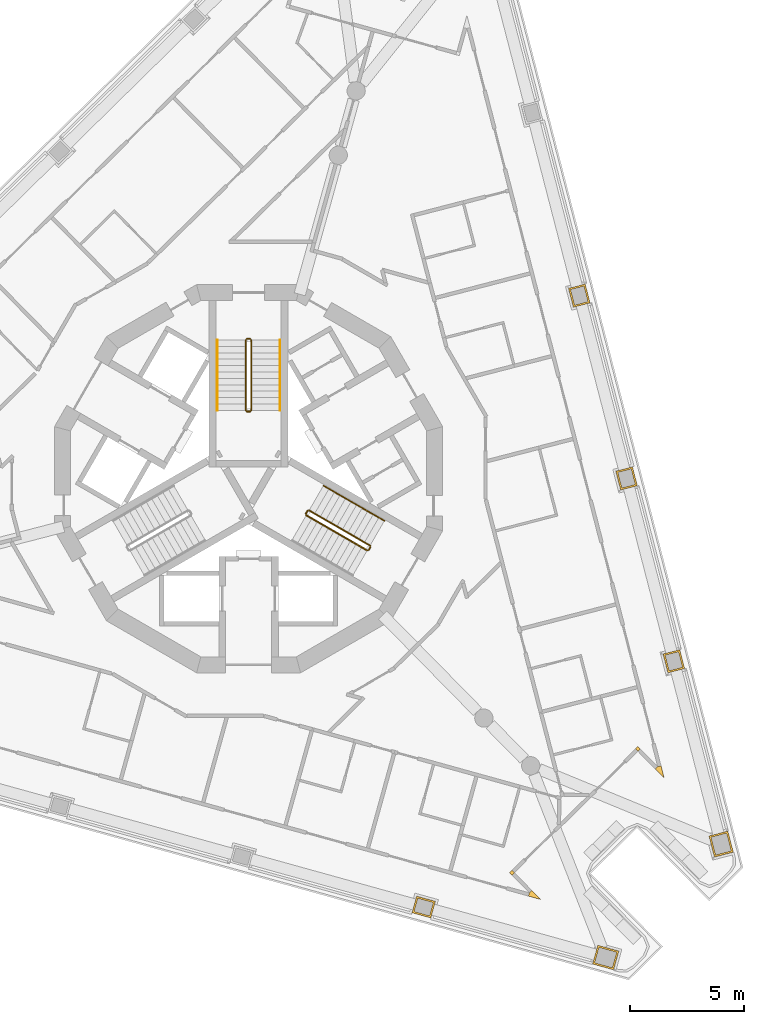
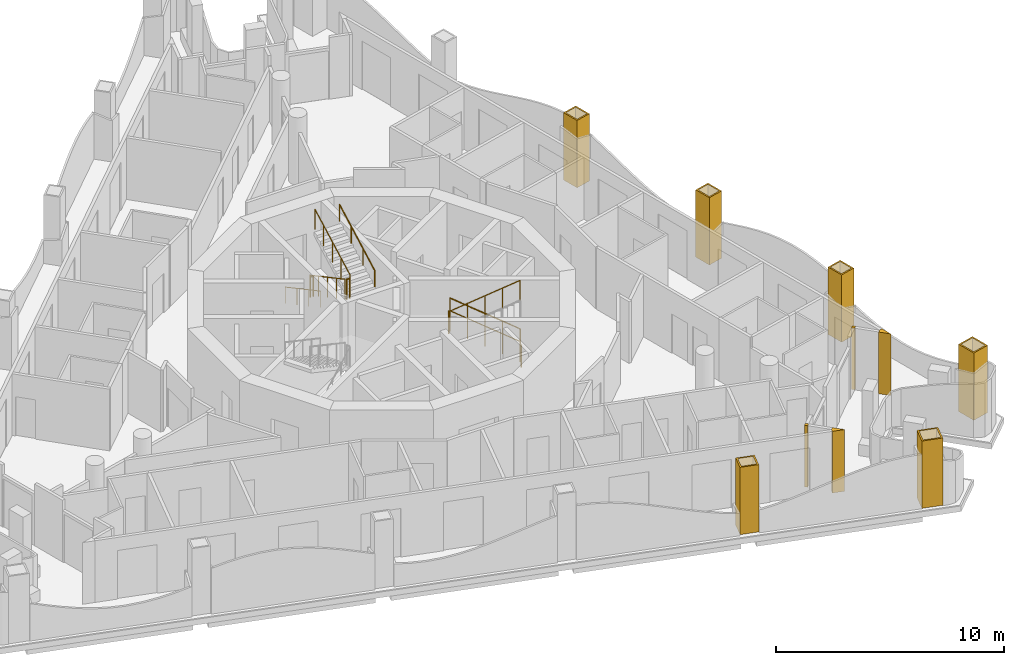
# One storey, part 12 of 14: 12 railings, 10 coverings.
"""IFC4 building model written with IfcOpenShell, lengths in metres."""

from ifc_helpers import new_model, si_unit, direction, frame, origin, origin_2d, place, context, subcontext, project, spatial, polyline, circle, outline, extrude, material, layer, layer_set, type_object, element, save


model = new_model("IFC4")

# Units and contexts
model_context = context("Model", 3, precision=1e-05, world=origin(), true_north=direction((0.0, 1.0)))
body_context = subcontext(model_context, "Body", "Model", "MODEL_VIEW")
ifc_project = project(units=[si_unit("LENGTHUNIT", "METRE"), si_unit("AREAUNIT", "SQUARE_METRE"), si_unit("VOLUMEUNIT", "CUBIC_METRE"), si_unit("PLANEANGLEUNIT", "RADIAN"), si_unit("MASSUNIT", "GRAM", prefix="KILO")], contexts=[model_context])

# Site, building, storey
site_placement = place(None, origin())
site = spatial("IfcSite", under=ifc_project, at=site_placement, CompositionType="ELEMENT")
building_placement = place(site_placement, origin())
building = spatial("IfcBuilding", under=site, at=building_placement, Name="Trine Commons Tower", CompositionType="ELEMENT")
storey_placement = place(building_placement, frame((0.0, 0.0, 249.300048828125)))
storey = spatial("IfcBuildingStorey", under=building, at=storey_placement, Name="L65", CompositionType="ELEMENT", Elevation=249.300048828125)

# Coverings
ifc_material_1 = material(Name="Aluminium-framed insulated wall panel", Category="aluminium")
ifc_layer_1 = layer(ifc_material_1, 0.14990234375)
ifc_layer_set_1 = layer_set([ifc_layer_1], Name="Aluminium-framed insulated wall panel")
covering_type_1 = type_object("IfcCoveringType", Name="Glazing corner post, aluminium", PredefinedType="CLADDING", material=ifc_layer_set_1)
covering_1_placement = place(storey_placement, origin())
element("IfcCovering", 1, at=covering_1_placement, inside=storey, type_object=covering_type_1, Name="Glazing corner post 7-06", PredefinedType="CLADDING", context=body_context, shape_type="SweptSolid", body=[
    extrude(outline(polyline([(97.80859375, 49.78515625), (98.200927734375, 49.3857421875), (98.060791015625, 49.927734375), (97.91552734375, 49.890380859375), (97.91552734375, 49.890380859375), (97.80859375, 49.78515625)])), origin(), (0.0, 0.0, 1.0), 3.300048828125),
])
covering_2_placement = place(storey_placement, origin())
element("IfcCovering", 2, at=covering_2_placement, inside=storey, type_object=covering_type_1, Name="Glazing corner post 7-07", PredefinedType="CLADDING", context=body_context, shape_type="SweptSolid", body=[
    extrude(outline(polyline([(96.9423828125, 50.66650390625), (97.047607421875, 50.5595703125), (97.154541015625, 50.66455078125), (97.04931640625, 50.771484375), (96.9423828125, 50.66650390625)])), origin(), (0.0, 0.0, 1.0), 3.300048828125),
])
covering_3_placement = place(storey_placement, origin())
element("IfcCovering", 3, at=covering_3_placement, inside=storey, type_object=covering_type_1, Name="Glazing corner post 7-08", PredefinedType="CLADDING", context=body_context, shape_type="SweptSolid", body=[
    extrude(outline(polyline([(91.5341796875, 45.1416015625), (91.64111328125, 45.24658203125), (91.535888671875, 45.353515625), (91.428955078125, 45.24853515625), (91.5341796875, 45.1416015625)])), origin(), (0.0, 0.0, 1.0), 3.300048828125),
])
covering_4_placement = place(storey_placement, origin())
element("IfcCovering", 4, at=covering_4_placement, inside=storey, type_object=covering_type_1, Name="Glazing corner post 7-09", PredefinedType="CLADDING", context=body_context, shape_type="SweptSolid", body=[
    extrude(outline(polyline([(92.255126953125, 44.222412109375), (92.79443359375, 44.072998046875), (92.402099609375, 44.47216796875), (92.295166015625, 44.3671875), (92.255126953125, 44.222412109375)])), origin(), (0.0, 0.0, 1.0), 3.300048828125),
])
ifc_material_2 = material(Name="Limestone, honed", Category="masonry")
ifc_layer_2 = layer(ifc_material_2, 0.074951171875)
ifc_layer_set_2 = layer_set([ifc_layer_2], Name="Limestone, honed")
covering_type_2 = type_object("IfcCoveringType", Name="Limestone column cladding 75", PredefinedType="CLADDING", material=ifc_layer_set_2)
covering_5_placement = place(storey_placement, origin())
element("IfcCovering", 5, at=covering_5_placement, inside=storey, type_object=covering_type_2, Name="Limestone pier cladding 7-01", PredefinedType="CLADDING", context=body_context, shape_type="SweptSolid", body=[
    extrude(outline(polyline([(95.292724609375, 42.0673828125), (95.0654296875, 41.248291015625), (95.98095703125, 40.994384765625), (96.2080078125, 41.8134765625), (95.292724609375, 42.0673828125)]), holes=[polyline([(95.344970703125, 41.97509765625), (95.15771484375, 41.300537109375), (95.9287109375, 41.086669921875), (96.11572265625, 41.76123046875), (95.344970703125, 41.97509765625)])]), origin(), (0.0, 0.0, 1.0), 3.599853515625),
])
covering_6_placement = place(storey_placement, origin())
element("IfcCovering", 6, at=covering_6_placement, inside=storey, type_object=covering_type_2, Name="Limestone pier cladding 7-02", PredefinedType="CLADDING", context=body_context, shape_type="SweptSolid", body=[
    extrude(outline(polyline([(87.359619140625, 44.215576171875), (87.158935546875, 43.492919921875), (87.97802734375, 43.265869140625), (88.1787109375, 43.988525390625), (87.359619140625, 44.215576171875)]), holes=[polyline([(87.41162109375, 44.123291015625), (87.25146484375, 43.545166015625), (87.92578125, 43.358154296875), (88.086181640625, 43.936279296875), (87.41162109375, 44.123291015625)])]), origin(), (0.0, 0.0, 1.0), 3.599853515625),
])
covering_7_placement = place(storey_placement, origin())
element("IfcCovering", 7, at=covering_7_placement, inside=storey, type_object=covering_type_2, Name="Limestone pier cladding 7-15", PredefinedType="CLADDING", context=body_context, shape_type="SweptSolid", body=[
    extrude(outline(polyline([(94.738525390625, 71.02099609375), (94.012451171875, 70.833251953125), (94.225341796875, 70.01025390625), (94.951416015625, 70.197998046875), (94.738525390625, 71.02099609375)]), holes=[polyline([(94.684814453125, 70.9296875), (94.10400390625, 70.779296875), (94.279296875, 70.101806640625), (94.860107421875, 70.251953125), (94.684814453125, 70.9296875)])]), origin(), (0.0, 0.0, 1.0), 3.599853515625),
])
covering_8_placement = place(storey_placement, origin())
element("IfcCovering", 8, at=covering_8_placement, inside=storey, type_object=covering_type_2, Name="Limestone pier cladding 7-16", PredefinedType="CLADDING", context=body_context, shape_type="SweptSolid", body=[
    extrude(outline(polyline([(96.808837890625, 63.015625), (96.082763671875, 62.827880859375), (96.295654296875, 62.0048828125), (97.021728515625, 62.192626953125), (96.808837890625, 63.015625)]), holes=[polyline([(96.755126953125, 62.92431640625), (96.17431640625, 62.77392578125), (96.349609375, 62.09619140625), (96.930419921875, 62.24658203125), (96.755126953125, 62.92431640625)])]), origin(), (0.0, 0.0, 1.0), 3.599853515625),
])
covering_9_placement = place(storey_placement, origin())
element("IfcCovering", 9, at=covering_9_placement, inside=storey, type_object=covering_type_2, Name="Limestone pier cladding 7-17", PredefinedType="CLADDING", context=body_context, shape_type="SweptSolid", body=[
    extrude(outline(polyline([(98.87939453125, 55.010498046875), (98.1533203125, 54.822509765625), (98.3662109375, 53.99951171875), (99.09228515625, 54.1875), (98.87939453125, 55.010498046875)]), holes=[polyline([(98.825439453125, 54.9189453125), (98.24462890625, 54.768798828125), (98.419921875, 54.091064453125), (99.000732421875, 54.2412109375), (98.825439453125, 54.9189453125)])]), origin(), (0.0, 0.0, 1.0), 3.599853515625),
])
covering_10_placement = place(storey_placement, origin())
element("IfcCovering", 10, at=covering_10_placement, inside=storey, type_object=covering_type_2, Name="Limestone pier cladding 7-18", PredefinedType="CLADDING", context=body_context, shape_type="SweptSolid", body=[
    extrude(outline(polyline([(100.985595703125, 47.06591796875), (100.16259765625, 46.853271484375), (100.400390625, 45.933349609375), (101.223388671875, 46.146240234375), (100.985595703125, 47.06591796875)]), holes=[polyline([(100.931640625, 46.974609375), (100.25390625, 46.79931640625), (100.454345703125, 46.02490234375), (101.132080078125, 46.2001953125), (100.931640625, 46.974609375)])]), origin(), (0.0, 0.0, 1.0), 3.599853515625),
])

# Railings
ifc_material_3 = material(Name="Stainless steel balustrade", Category="steel")
railing_type_1 = type_object("IfcRailingType", Name="Stair guard, steel balustrade 1100", PredefinedType="GUARDRAIL", material=ifc_material_3)
railing_1_placement = place(storey_placement, frame((79.875, 68.570556640625, 0.14990234375)))
element("IfcRailing", 11, at=railing_1_placement, inside=storey, type_object=railing_type_1, Name="L65 ST1C stair guard 1", PredefinedType="GUARDRAIL", context=body_context, shape_type="SweptSolid", body=[
    extrude(circle(Radius=0.02392578125, at=origin_2d()), frame((0.0, 0.0, 1.076171875), z_axis=(0.0, -0.881467505477, 0.472244678941), x_axis=(1.0, 0.0, 0.0)), (0.0, 0.0, 1.0), 3.494140625),
    extrude(circle(Radius=0.02099609375, at=origin_2d()), origin(), (0.0, 0.0, 1.0), 1.052001953125),
    extrude(circle(Radius=0.02099609375, at=origin_2d()), frame((0.0, -0.77001953125, 0.41259765625)), (0.0, 0.0, 1.0), 1.052001953125),
    extrude(circle(Radius=0.02099609375, at=origin_2d()), frame((0.0, -1.5400390625, 0.8251953125)), (0.0, 0.0, 1.0), 1.052001953125),
    extrude(circle(Radius=0.02099609375, at=origin_2d()), frame((0.0, -2.31005859375, 1.237548828125)), (0.0, 0.0, 1.0), 1.052001953125),
    extrude(circle(Radius=0.02099609375, at=origin_2d()), frame((0.0, -3.080078125, 1.650146484375)), (0.0, 0.0, 1.0), 1.052001953125),
])
railing_2_placement = place(storey_placement, frame((79.925048828125, 65.440673828125, 1.800048828125)))
element("IfcRailing", 12, at=railing_2_placement, inside=storey, type_object=railing_type_1, Name="L65 ST1C stair guard 2", PredefinedType="GUARDRAIL", context=body_context, shape_type="SweptSolid", body=[
    extrude(circle(Radius=0.02392578125, at=origin_2d()), frame((0.0, 0.0, 1.076171875), z_axis=(1.0, 0.0, 0.0), x_axis=(0.0, 1.0, 0.0)), (0.0, 0.0, 1.0), 0.14990234375),
    extrude(circle(Radius=0.02099609375, at=origin_2d()), origin(), (0.0, 0.0, 1.0), 1.052001953125),
    extrude(circle(Radius=0.02099609375, at=origin_2d()), frame((0.14990234375, 0.0, 0.0)), (0.0, 0.0, 1.0), 1.052001953125),
])
railing_3_placement = place(storey_placement, frame((80.125, 65.490478515625, 1.949951171875)))
element("IfcRailing", 13, at=railing_3_placement, inside=storey, type_object=railing_type_1, Name="L65 ST1C stair guard 3", PredefinedType="GUARDRAIL", context=body_context, shape_type="SweptSolid", body=[
    extrude(circle(Radius=0.02392578125, at=origin_2d()), frame((0.0, 0.0, 1.076171875), z_axis=(0.0, 0.881496589024, 0.472190389079), x_axis=(-1.0, 0.0, 0.0)), (0.0, 0.0, 1.0), 3.494140625),
    extrude(circle(Radius=0.02099609375, at=origin_2d()), origin(), (0.0, 0.0, 1.0), 1.052001953125),
    extrude(circle(Radius=0.02099609375, at=origin_2d()), frame((0.0, 0.77001953125, 0.41259765625)), (0.0, 0.0, 1.0), 1.052001953125),
    extrude(circle(Radius=0.02099609375, at=origin_2d()), frame((0.0, 1.5400390625, 0.824951171875)), (0.0, 0.0, 1.0), 1.052001953125),
    extrude(circle(Radius=0.02099609375, at=origin_2d()), frame((0.0, 2.31005859375, 1.2373046875)), (0.0, 0.0, 1.0), 1.052001953125),
    extrude(circle(Radius=0.02099609375, at=origin_2d()), frame((0.0, 3.080078125, 1.64990234375)), (0.0, 0.0, 1.0), 1.052001953125),
])
railing_4_placement = place(storey_placement, frame((79.925048828125, 68.62060546875, 0.0)))
element("IfcRailing", 14, at=railing_4_placement, inside=storey, type_object=railing_type_1, Name="L65 ST1C stair guard 4", PredefinedType="GUARDRAIL", context=body_context, shape_type="SweptSolid", body=[
    extrude(circle(Radius=0.02392578125, at=origin_2d()), frame((0.0, 0.0, 1.076171875), z_axis=(1.0, 0.0, 0.0), x_axis=(0.0, 1.0, 0.0)), (0.0, 0.0, 1.0), 0.14990234375),
    extrude(circle(Radius=0.02099609375, at=origin_2d()), origin(), (0.0, 0.0, 1.0), 1.052001953125),
    extrude(circle(Radius=0.02099609375, at=origin_2d()), frame((0.14990234375, 0.0, 0.0)), (0.0, 0.0, 1.0), 1.052001953125),
])
railing_5_placement = place(storey_placement, frame((85.31982421875, 59.572998046875, 0.14990234375)))
element("IfcRailing", 15, at=railing_5_placement, inside=storey, type_object=railing_type_1, Name="L65 ST3C stair guard 1", PredefinedType="GUARDRAIL", context=body_context, shape_type="SweptSolid", body=[
    extrude(circle(Radius=0.02392578125, at=origin_2d()), frame((0.0, 0.0, 1.076171875), z_axis=(-0.763379768245, 0.440728498818, 0.472239049384), x_axis=(-0.499992328818, -0.866029832698, 0.0)), (0.0, 0.0, 1.0), 3.494384765625),
    extrude(circle(Radius=0.02099609375, at=origin_2d()), origin(), (0.0, 0.0, 1.0), 1.052001953125),
    extrude(circle(Radius=0.02099609375, at=origin_2d()), frame((-0.6669921875, 0.385009765625, 0.41259765625)), (0.0, 0.0, 1.0), 1.052001953125),
    extrude(circle(Radius=0.02099609375, at=origin_2d()), frame((-1.333740234375, 0.77001953125, 0.8251953125)), (0.0, 0.0, 1.0), 1.052001953125),
    extrude(circle(Radius=0.02099609375, at=origin_2d()), frame((-2.00048828125, 1.155029296875, 1.237548828125)), (0.0, 0.0, 1.0), 1.052001953125),
    extrude(circle(Radius=0.02099609375, at=origin_2d()), frame((-2.66748046875, 1.5400390625, 1.650146484375)), (0.0, 0.0, 1.0), 1.052001953125),
])
railing_6_placement = place(storey_placement, frame((82.584228515625, 61.0947265625, 1.800048828125)))
element("IfcRailing", 16, at=railing_6_placement, inside=storey, type_object=railing_type_1, Name="L65 ST3C stair guard 2", PredefinedType="GUARDRAIL", context=body_context, shape_type="SweptSolid", body=[
    extrude(circle(Radius=0.02392578125, at=origin_2d()), frame((0.0, 0.0, 1.076171875), z_axis=(-0.501036270542, -0.865426285481, 0.0), x_axis=(0.865426285481, -0.501036270542, 0.0)), (0.0, 0.0, 1.0), 0.150146484375),
    extrude(circle(Radius=0.02099609375, at=origin_2d()), origin(), (0.0, 0.0, 1.0), 1.052001953125),
    extrude(circle(Radius=0.02099609375, at=origin_2d()), frame((-0.0751953125, -0.1298828125, 0.0)), (0.0, 0.0, 1.0), 1.052001953125),
])
railing_7_placement = place(storey_placement, frame((82.52734375, 60.896484375, 1.949951171875)))
element("IfcRailing", 17, at=railing_7_placement, inside=storey, type_object=railing_type_1, Name="L65 ST3C stair guard 3", PredefinedType="GUARDRAIL", context=body_context, shape_type="SweptSolid", body=[
    extrude(circle(Radius=0.02392578125, at=origin_2d()), frame((0.0, 0.0, 1.076171875), z_axis=(0.76340495495, -0.440743040072, 0.472184759798), x_axis=(0.499992328818, 0.866029832698, 0.0)), (0.0, 0.0, 1.0), 3.494140625),
    extrude(circle(Radius=0.02099609375, at=origin_2d()), origin(), (0.0, 0.0, 1.0), 1.052001953125),
    extrude(circle(Radius=0.02099609375, at=origin_2d()), frame((0.6669921875, -0.385009765625, 0.41259765625)), (0.0, 0.0, 1.0), 1.052001953125),
    extrude(circle(Radius=0.02099609375, at=origin_2d()), frame((1.333740234375, -0.77001953125, 0.824951171875)), (0.0, 0.0, 1.0), 1.052001953125),
    extrude(circle(Radius=0.02099609375, at=origin_2d()), frame((2.00048828125, -1.155029296875, 1.2373046875)), (0.0, 0.0, 1.0), 1.052001953125),
    extrude(circle(Radius=0.02099609375, at=origin_2d()), frame((2.66748046875, -1.5400390625, 1.64990234375)), (0.0, 0.0, 1.0), 1.052001953125),
])
railing_8_placement = place(storey_placement, frame((85.338134765625, 59.504638671875, 0.0)))
element("IfcRailing", 18, at=railing_8_placement, inside=storey, type_object=railing_type_1, Name="L65 ST3C stair guard 4", PredefinedType="GUARDRAIL", context=body_context, shape_type="SweptSolid", body=[
    extrude(circle(Radius=0.02392578125, at=origin_2d()), frame((0.0, 0.0, 1.076171875), z_axis=(-0.499816412211, -0.866131372301, 0.0), x_axis=(0.866131372301, -0.499816412211, 0.0)), (0.0, 0.0, 1.0), 0.14990234375),
    extrude(circle(Radius=0.02099609375, at=origin_2d()), origin(), (0.0, 0.0, 1.0), 1.052001953125),
    extrude(circle(Radius=0.02099609375, at=origin_2d()), frame((-0.074951171875, -0.1298828125, 0.0)), (0.0, 0.0, 1.0), 1.052001953125),
])
ifc_material_4 = material(Name="Stainless steel handrail", Category="steel")
railing_type_2 = type_object("IfcRailingType", Name="Stair handrail, steel 900", PredefinedType="HANDRAIL", material=ifc_material_4)
railing_9_placement = place(storey_placement, frame((78.625, 68.570556640625, 0.14990234375)))
element("IfcRailing", 19, at=railing_9_placement, inside=storey, type_object=railing_type_2, Name="L65 ST1C stair handrail 1", PredefinedType="HANDRAIL", context=body_context, shape_type="SweptSolid", body=[
    extrude(circle(Radius=0.02099609375, at=origin_2d()), frame((0.0, 0.0, 0.87890625), z_axis=(0.0, -0.881467505477, 0.472244678941), x_axis=(1.0, 0.0, 0.0)), (0.0, 0.0, 1.0), 3.494140625),
    extrude(circle(Radius=0.01513671875, at=origin_2d()), origin(), (0.0, 0.0, 1.0), 0.85791015625),
    extrude(circle(Radius=0.01513671875, at=origin_2d()), frame((0.0, -1.026611328125, 0.550048828125)), (0.0, 0.0, 1.0), 0.85791015625),
    extrude(circle(Radius=0.01513671875, at=origin_2d()), frame((0.0, -2.053466796875, 1.10009765625)), (0.0, 0.0, 1.0), 0.85791015625),
    extrude(circle(Radius=0.01513671875, at=origin_2d()), frame((0.0, -3.080078125, 1.650146484375)), (0.0, 0.0, 1.0), 0.85791015625),
])
railing_10_placement = place(storey_placement, frame((81.375, 65.490478515625, 1.949951171875)))
element("IfcRailing", 20, at=railing_10_placement, inside=storey, type_object=railing_type_2, Name="L65 ST1C stair handrail 2", PredefinedType="HANDRAIL", context=body_context, shape_type="SweptSolid", body=[
    extrude(circle(Radius=0.02099609375, at=origin_2d()), frame((0.0, 0.0, 0.87890625), z_axis=(0.0, 0.881496589024, 0.472190389079), x_axis=(-1.0, 0.0, 0.0)), (0.0, 0.0, 1.0), 3.494140625),
    extrude(circle(Radius=0.01513671875, at=origin_2d()), origin(), (0.0, 0.0, 1.0), 0.85791015625),
    extrude(circle(Radius=0.01513671875, at=origin_2d()), frame((0.0, 1.026611328125, 0.550048828125)), (0.0, 0.0, 1.0), 0.85791015625),
    extrude(circle(Radius=0.01513671875, at=origin_2d()), frame((0.0, 2.053466796875, 1.099853515625)), (0.0, 0.0, 1.0), 0.85791015625),
    extrude(circle(Radius=0.01513671875, at=origin_2d()), frame((0.0, 3.080078125, 1.64990234375)), (0.0, 0.0, 1.0), 0.85791015625),
])
railing_11_placement = place(storey_placement, frame((85.94482421875, 60.655517578125, 0.14990234375)))
element("IfcRailing", 21, at=railing_11_placement, inside=storey, type_object=railing_type_2, Name="L65 ST3C stair handrail 1", PredefinedType="HANDRAIL", context=body_context, shape_type="SweptSolid", body=[
    extrude(circle(Radius=0.02099609375, at=origin_2d()), frame((0.0, 0.0, 0.87890625), z_axis=(-0.76340495495, 0.440743040072, 0.472184759798), x_axis=(-0.499992328818, -0.866029832698, 0.0)), (0.0, 0.0, 1.0), 1.7470703125),
    extrude(circle(Radius=0.01513671875, at=origin_2d()), origin(), (0.0, 0.0, 1.0), 0.85791015625),
    extrude(circle(Radius=0.01513671875, at=origin_2d()), frame((-0.6669921875, 0.385009765625, 0.41259765625)), (0.0, 0.0, 1.0), 0.85791015625),
    extrude(circle(Radius=0.01513671875, at=origin_2d()), frame((-1.333740234375, 0.77001953125, 0.824951171875)), (0.0, 0.0, 1.0), 0.85791015625),
])
railing_12_placement = place(storey_placement, frame((84.611083984375, 61.425537109375, 0.974853515625)))
element("IfcRailing", 22, at=railing_12_placement, inside=storey, type_object=railing_type_2, Name="L65 ST3C stair handrail 2", PredefinedType="HANDRAIL", context=body_context, shape_type="SweptSolid", body=[
    extrude(circle(Radius=0.02099609375, at=origin_2d()), frame((0.0, 0.0, 0.87890625), z_axis=(-0.763354580307, 0.440713956853, 0.472293333596), x_axis=(-0.499992328818, -0.866029832698, 0.0)), (0.0, 0.0, 1.0), 1.747314453125),
    extrude(circle(Radius=0.01513671875, at=origin_2d()), origin(), (0.0, 0.0, 1.0), 0.85791015625),
    extrude(circle(Radius=0.01513671875, at=origin_2d()), frame((-0.6669921875, 0.385009765625, 0.41259765625)), (0.0, 0.0, 1.0), 0.85791015625),
    extrude(circle(Radius=0.01513671875, at=origin_2d()), frame((-1.333740234375, 0.77001953125, 0.8251953125)), (0.0, 0.0, 1.0), 0.85791015625),
])

save(model, "model.ifc")
